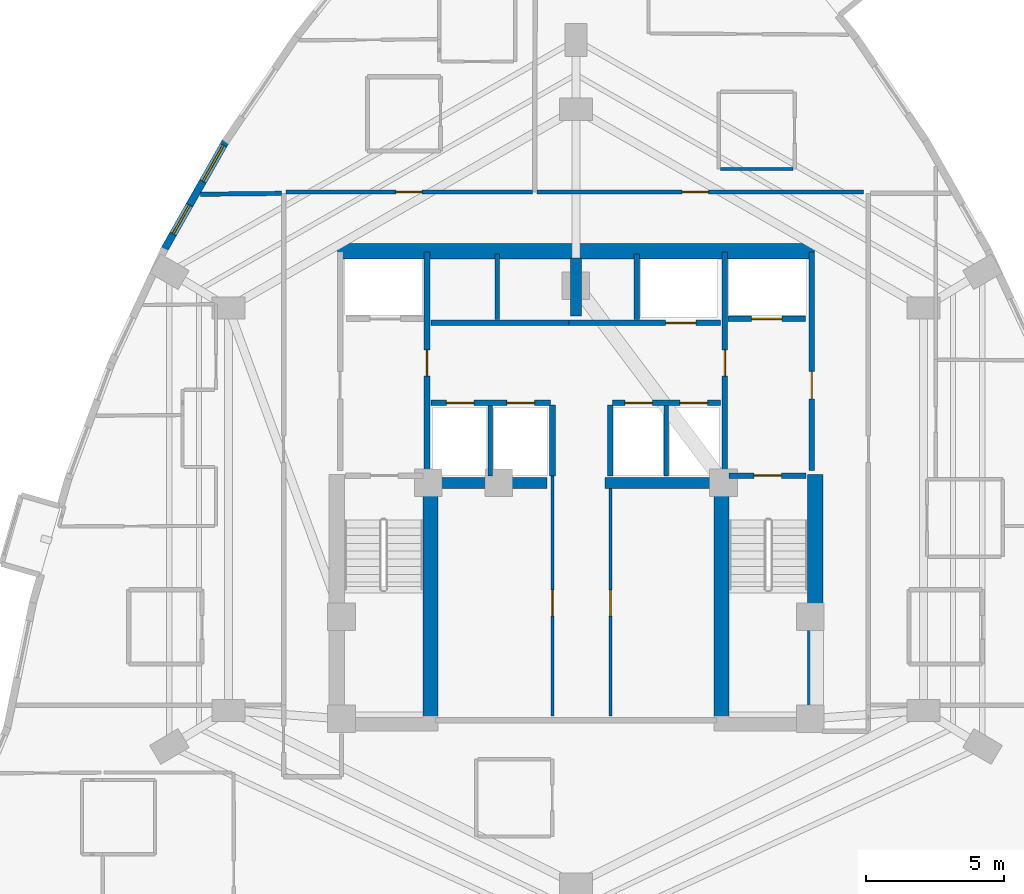
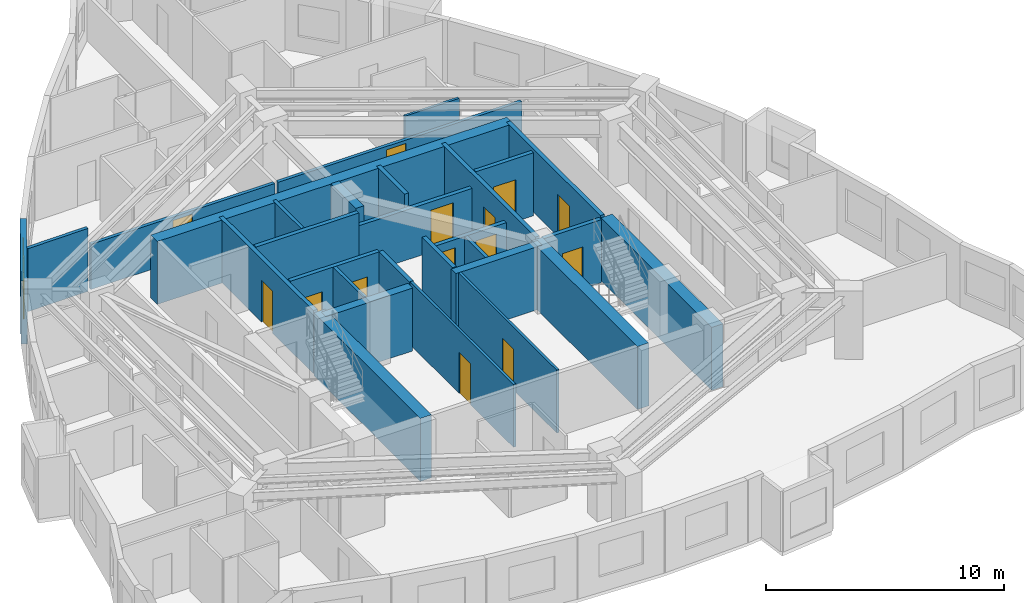
# One storey, part 10 of 14: 29 walls, 14 doors, 2 windows, 16 openings.
"""IFC4 building model written with IfcOpenShell, lengths in metres."""

from ifc_helpers import new_model, si_unit, direction, frame, frame_2d, origin, place, context, subcontext, project, spatial, rectangle, extrude, material, layer, layer_set, type_object, element, fill, save


model = new_model("IFC4")

# Units and contexts
model_context = context("Model", 3, precision=1e-05, world=origin(), true_north=direction((0.0, 1.0)))
body_context = subcontext(model_context, "Body", "Model", "MODEL_VIEW")
ifc_project = project(units=[si_unit("LENGTHUNIT", "METRE"), si_unit("AREAUNIT", "SQUARE_METRE"), si_unit("VOLUMEUNIT", "CUBIC_METRE"), si_unit("PLANEANGLEUNIT", "RADIAN"), si_unit("MASSUNIT", "GRAM", prefix="KILO")], contexts=[model_context])

# Site, building, storey
site_placement = place(None, origin())
site = spatial("IfcSite", under=ifc_project, at=site_placement, CompositionType="ELEMENT")
building_placement = place(site_placement, origin())
building = spatial("IfcBuilding", under=site, at=building_placement, Name="Miruveldt Soraemaru", CompositionType="ELEMENT")
storey_placement = place(building_placement, frame((0.0, 0.0, 117.89990234375)))
storey = spatial("IfcBuildingStorey", under=building, at=storey_placement, Name="L32", CompositionType="ELEMENT", Elevation=117.89990234375)

# Walls
ifc_material_1 = material(Name="Concrete C70/85 (70 MPa)", Category="concrete")
ifc_layer_1 = layer(ifc_material_1, 0.5, Name="Concrete C70/85 (70 MPa)", Category="concrete")
ifc_layer_set_1 = layer_set([ifc_layer_1], Name="Concrete C70/85 (70 MPa)")
wall_type_1 = type_object("IfcWallType", Name="WALL-BW-500", PredefinedType="SHEAR", material=ifc_layer_set_1)
wall_1_placement = place(storey_placement, frame((44.0, 50.10009765625, 0.0), z_axis=(0.0, 0.0, 1.0), x_axis=(0.0, 1.0, 0.0)))
element("IfcWall", 1, at=wall_1_placement, inside=storey, type_object=wall_type_1, Name="L32 Core Buttress Shear Wall BN", PredefinedType="SHEAR", context=body_context, shape_type="SweptSolid", body=[
    extrude(rectangle(XDim=2.099853515625, YDim=0.39990234375, at=frame_2d((1.0498046875, 0.0))), origin(), (0.0, 0.0, 1.0), 3.235107421875),
])
for number, where, z_axis, x_axis, name in (
    (2, (38.75, 44.050048828125, 0.0), (0.0, 0.0, 1.0), (1.0, 0.0, 0.0), "L32 Core Buttress Shear Wall BW"),
    (3, (45.050048828125, 44.050048828125, 0.0), (0.0, 0.0, 1.0), (1.0, 0.0, 0.0), "L32 Core Buttress Shear Wall BE"),
):
    element("IfcWall", number, at=place(storey_placement, frame(where, z_axis=z_axis, x_axis=x_axis)), inside=storey, type_object=wall_type_1, Name=name, PredefinedType="SHEAR", context=body_context, shape_type="SweptSolid", body=[
        extrude(rectangle(XDim=4.199951171875, YDim=0.39990234375, at=frame_2d((2.10009765625, 0.0))), origin(), (0.0, 0.0, 1.0), 3.235107421875),
    ])
ifc_layer_2 = layer(ifc_material_1, 0.550048828125, Name="Concrete C70/85 (70 MPa)", Category="concrete")
ifc_layer_set_2 = layer_set([ifc_layer_2], Name="Concrete C70/85 (70 MPa)")
wall_type_2 = type_object("IfcWallType", Name="WALL-CW-550", PredefinedType="SHEAR", material=ifc_layer_set_2)
wall_2_placement = place(storey_placement, frame((35.35009765625, 52.449951171875, 0.0), z_axis=(0.0, 0.0, 1.0), x_axis=(1.0, 0.0, 0.0)))
element("IfcWall", 4, at=wall_2_placement, inside=storey, type_object=wall_type_2, Name="L32 Central Core Shear Wall N", PredefinedType="SHEAR", context=body_context, shape_type="SweptSolid", body=[
    extrude(rectangle(XDim=17.2998046875, YDim=0.550048828125, at=frame_2d((8.64990234375, 0.0))), origin(), (0.0, 0.0, 1.0), 3.235107421875),
])
wall_3_placement = place(storey_placement, frame((52.675048828125, 35.050048828125, 0.0), z_axis=(0.0, 0.0, 1.0), x_axis=(0.0, 1.0, 0.0)))
element("IfcWall", 5, at=wall_3_placement, inside=storey, type_object=wall_type_2, Name="L32 Central Core Shear Wall E1", PredefinedType="SHEAR", context=body_context, shape_type="SweptSolid", body=[
    extrude(rectangle(XDim=9.300048828125, YDim=0.550048828125, at=frame_2d((4.64990234375, 0.0))), origin(), (0.0, 0.0, 1.0), 3.235107421875),
])
for number, where, z_axis, x_axis, name in (
    (6, (38.72509765625, 35.39990234375, 0.0), (0.0, 0.0, 1.0), (0.0, 1.0, 0.0), "L32 Central Core Shear Wall SW-INT"),
    (7, (49.27490234375, 35.39990234375, 0.0), (0.0, 0.0, 1.0), (0.0, 1.0, 0.0), "L32 Central Core Shear Wall SE-INT"),
):
    element("IfcWall", number, at=place(storey_placement, frame(where, z_axis=z_axis, x_axis=x_axis)), inside=storey, type_object=wall_type_2, Name=name, PredefinedType="SHEAR", context=body_context, shape_type="SweptSolid", body=[
        extrude(rectangle(XDim=8.9501953125, YDim=0.550048828125, at=frame_2d((4.47509765625, 0.0))), origin(), (0.0, 0.0, 1.0), 3.235107421875),
    ])

# Wall, openings, windows
ifc_material_2 = material(Name="Precast concrete C45/55 (45 MPa)", Category="concrete")
ifc_layer_3 = layer(ifc_material_2, 0.27001953125, Name="Precast concrete C45/55 (45 MPa)", Category="concrete")
ifc_layer_set_3 = layer_set([ifc_layer_3], Name="Precast concrete C45/55 (45 MPa)")
wall_type_3 = type_object("IfcWallType", Name="WALL-EXT-PC270", PredefinedType="SOLIDWALL", material=ifc_layer_set_3)
wall_4_placement = place(storey_placement, frame((31.319091796875, 56.47119140625, 0.0), z_axis=(0.0, 0.0, 1.0), x_axis=(-0.493365968838, -0.869821832786, 0.0)))
wall_4 = element("IfcWall", 8, at=wall_4_placement, inside=storey, type_object=wall_type_3, Name="L32 Precast Concrete Facade Wall 10", PredefinedType="SOLIDWALL", context=body_context, shape_type="SweptSolid", body=[
    extrude(rectangle(XDim=4.583740234375, YDim=0.27001953125, at=frame_2d((2.2919921875, 0.0))), origin(), (0.0, 0.0, 1.0), 3.235107421875),
])
opening_1_placement = place(wall_4_placement, frame((0.2109375, 0.0, 0.800048828125)))
opening_1 = element("IfcOpeningElement", 9, at=opening_1_placement, cuts=wall_4, Name="Opening WN-3", PredefinedType="OPENING", context=body_context, shape_type="SweptSolid", body=[
    extrude(rectangle(XDim=1.5, YDim=1.60009765625, at=frame_2d((0.75, 0.800048828125))), frame((0.0, 0.14501953125, 0.0), z_axis=(0.0, -1.0, 0.0), x_axis=(1.0, 0.0, 0.0)), (0.0, 0.0, 1.0), 0.2900390625),
])
opening_2_placement = place(wall_4_placement, frame((2.697021484375, 0.0, 0.780029296875)))
opening_2 = element("IfcOpeningElement", 10, at=opening_2_placement, cuts=wall_4, Name="Opening WN-4", PredefinedType="OPENING", context=body_context, shape_type="SweptSolid", body=[
    extrude(rectangle(XDim=1.199951171875, YDim=1.550048828125, at=frame_2d((0.60009765625, 0.77490234375))), frame((0.0, 0.14501953125, 0.0), z_axis=(0.0, -1.0, 0.0), x_axis=(1.0, 0.0, 0.0)), (0.0, 0.0, 1.0), 0.2900390625),
])
ifc_material_3 = material(Name="Triple low-e insulated glazing", Category="glass")
window_type_1 = type_object("IfcWindowType", Name="WIN-PUNCH-1200x1550", PartitioningType="SINGLE_PANEL", PredefinedType="WINDOW", material=ifc_material_3)
window_1_placement = place(opening_2_placement, origin())
window_1 = element("IfcWindow", 11, at=window_1_placement, inside=storey, type_object=window_type_1, Name="L32 Punched Triple-Glazed Window 10.2", OverallHeight=1.550048828125, OverallWidth=1.199951171875, PartitioningType="SINGLE_PANEL", PredefinedType="WINDOW", context=body_context, shape_type="SweptSolid", body=[
    extrude(rectangle(XDim=1.199951171875, YDim=1.550048828125, at=frame_2d((0.60009765625, 0.77490234375))), frame((0.0, 0.030029296875, 0.0), z_axis=(0.0, -1.0, 0.0), x_axis=(1.0, 0.0, 0.0)), (0.0, 0.0, 1.0), 0.06005859375),
])
fill(opening_2, window_1)
window_type_2 = type_object("IfcWindowType", Name="WIN-PUNCH-1500x1600", PartitioningType="SINGLE_PANEL", PredefinedType="WINDOW", material=ifc_material_3)
window_2_placement = place(opening_1_placement, origin())
window_2 = element("IfcWindow", 12, at=window_2_placement, inside=storey, type_object=window_type_2, Name="L32 Punched Triple-Glazed Window 10.1", OverallHeight=1.60009765625, OverallWidth=1.5, PartitioningType="SINGLE_PANEL", PredefinedType="WINDOW", context=body_context, shape_type="SweptSolid", body=[
    extrude(rectangle(XDim=1.5, YDim=1.60009765625, at=frame_2d((0.75, 0.800048828125))), frame((0.0, 0.030029296875, 0.0), z_axis=(0.0, -1.0, 0.0), x_axis=(1.0, 0.0, 0.0)), (0.0, 0.0, 1.0), 0.06005859375),
])
fill(opening_1, window_2)

# Wall, opening, door
ifc_material_4 = material(Name="Gypsum plasterboard lining", Category="gypsum")
ifc_layer_4 = layer(ifc_material_4, 0.1201171875, Name="Gypsum plasterboard lining", Category="gypsum")
ifc_layer_set_4 = layer_set([ifc_layer_4], Name="Gypsum plasterboard lining")
wall_type_4 = type_object("IfcWallType", Name="WALL-INT-P120", PredefinedType="PARTITIONING", material=ifc_layer_set_4)
wall_5_placement = place(storey_placement, frame((43.14990234375, 35.60009765625, 0.0), z_axis=(0.0, 0.0, 1.0), x_axis=(0.0, 1.0, 0.0)))
wall_5 = element("IfcWall", 13, at=wall_5_placement, inside=storey, type_object=wall_type_4, Name="L32 Core Compartment Wall SP-WL", PredefinedType="PARTITIONING", context=body_context, shape_type="SweptSolid", body=[
    extrude(rectangle(XDim=8.699951171875, YDim=0.1201171875, at=frame_2d((4.35009765625, 0.0))), origin(), (0.0, 0.0, 1.0), 3.235107421875),
])
opening_3_placement = place(wall_5_placement, frame((3.625, 0.0, 0.0)))
opening_3 = element("IfcOpeningElement", 14, at=opening_3_placement, cuts=wall_5, Name="Opening D2", PredefinedType="OPENING", context=body_context, shape_type="SweptSolid", body=[
    extrude(rectangle(XDim=0.949951171875, YDim=2.10009765625, at=frame_2d((0.47509765625, 1.050048828125))), frame((0.0, 0.070068359375, 0.0), z_axis=(0.0, -1.0, 0.0), x_axis=(1.0, 0.0, 0.0)), (0.0, 0.0, 1.0), 0.14013671875),
])
ifc_material_5 = material(Name="Anodised aluminium EN AW-6063 T6", Category="aluminium")
door_type_1 = type_object("IfcDoorType", Name="DOOR-INT-950", OperationType="NOTDEFINED", PredefinedType="DOOR", material=ifc_material_5)
door_1_placement = place(opening_3_placement, origin())
door_1 = element("IfcDoor", 15, at=door_1_placement, inside=storey, type_object=door_type_1, Name="L32 Fire Door", OperationType="SINGLE_SWING_LEFT", OverallHeight=2.10009765625, OverallWidth=0.949951171875, PredefinedType="DOOR", context=body_context, shape_type="SweptSolid", body=[
    extrude(rectangle(XDim=0.949951171875, YDim=2.10009765625, at=frame_2d((0.47509765625, 1.050048828125))), frame((0.0, 0.02490234375, 0.0), z_axis=(0.0, -1.0, 0.0), x_axis=(1.0, 0.0, 0.0)), (0.0, 0.0, 1.0), 0.050048828125),
])
fill(opening_3, door_1)

wall_6_placement = place(storey_placement, frame((45.25, 35.60009765625, 0.0), z_axis=(0.0, 0.0, 1.0), x_axis=(0.0, 1.0, 0.0)))
wall_6 = element("IfcWall", 16, at=wall_6_placement, inside=storey, type_object=wall_type_4, Name="L32 Core Compartment Wall SP-EL", PredefinedType="PARTITIONING", context=body_context, shape_type="SweptSolid", body=[
    extrude(rectangle(XDim=8.25, YDim=0.1201171875, at=frame_2d((4.125, 0.0))), origin(), (0.0, 0.0, 1.0), 3.235107421875),
])
opening_4_placement = place(wall_6_placement, frame((3.625, 0.0, 0.0)))
opening_4 = element("IfcOpeningElement", 17, at=opening_4_placement, cuts=wall_6, Name="Opening D2", PredefinedType="OPENING", context=body_context, shape_type="SweptSolid", body=[
    extrude(rectangle(XDim=0.949951171875, YDim=2.10009765625, at=frame_2d((0.47509765625, 1.050048828125))), frame((0.0, 0.070068359375, 0.0), z_axis=(0.0, -1.0, 0.0), x_axis=(1.0, 0.0, 0.0)), (0.0, 0.0, 1.0), 0.14013671875),
])
door_2_placement = place(opening_4_placement, origin())
door_2 = element("IfcDoor", 18, at=door_2_placement, inside=storey, type_object=door_type_1, Name="L32 Fire Door", OperationType="SINGLE_SWING_LEFT", OverallHeight=2.10009765625, OverallWidth=0.949951171875, PredefinedType="DOOR", context=body_context, shape_type="SweptSolid", body=[
    extrude(rectangle(XDim=0.949951171875, YDim=2.10009765625, at=frame_2d((0.47509765625, 1.050048828125))), frame((0.0, 0.02490234375, 0.0), z_axis=(0.0, -1.0, 0.0), x_axis=(1.0, 0.0, 0.0)), (0.0, 0.0, 1.0), 0.050048828125),
])
fill(opening_4, door_2)

# Wall
wall_7_placement = place(storey_placement, frame((49.239990234375, 55.429931640625, 0.0), z_axis=(0.0, 0.0, 1.0), x_axis=(1.0, 0.0, 0.0)))
element("IfcWall", 19, at=wall_7_placement, inside=storey, type_object=wall_type_4, Name="L32 Partition Wall 28", PredefinedType="PARTITIONING", context=body_context, shape_type="SweptSolid", body=[
    extrude(rectangle(XDim=2.630126953125, YDim=0.1201171875, at=frame_2d((1.31494140625, 0.0))), origin(), (0.0, 0.0, 1.0), 2.873046875),
])

# Wall, opening, door
ifc_material_6 = material(Name="Concrete C40/50 (40 MPa)", Category="concrete")
ifc_layer_5 = layer(ifc_material_6, 0.159912109375, Name="Concrete C40/50 (40 MPa)", Category="concrete")
ifc_layer_set_5 = layer_set([ifc_layer_5], Name="Concrete C40/50 (40 MPa)")
wall_type_5 = type_object("IfcWallType", Name="WALL-INT-RC160", PredefinedType="SOLIDWALL", material=ifc_layer_set_5)
wall_8_placement = place(storey_placement, frame((54.423095703125, 54.60009765625, 0.0), z_axis=(0.0, 0.0, 1.0), x_axis=(-1.0, 0.0, 0.0)))
wall_8 = element("IfcWall", 20, at=wall_8_placement, inside=storey, type_object=wall_type_5, Name="L32 Partition Wall 2", PredefinedType="SOLIDWALL", context=body_context, shape_type="SweptSolid", body=[
    extrude(rectangle(XDim=11.840087890625, YDim=0.159912109375, at=frame_2d((5.919921875, 0.0))), origin(), (0.0, 0.0, 1.0), 2.322998046875),
])
opening_5_placement = place(wall_8_placement, frame((5.625, 0.0, 0.0)))
opening_5 = element("IfcOpeningElement", 21, at=opening_5_placement, cuts=wall_8, Name="Opening FD2", PredefinedType="OPENING", context=body_context, shape_type="SweptSolid", body=[
    extrude(rectangle(XDim=0.949951171875, YDim=2.14990234375, at=frame_2d((0.47509765625, 1.074951171875))), frame((0.0, 0.08984375, 0.0), z_axis=(0.0, -1.0, 0.0), x_axis=(1.0, 0.0, 0.0)), (0.0, 0.0, 1.0), 0.179931640625),
])
door_type_2 = type_object("IfcDoorType", Name="DOOR-FD2-950", OperationType="NOTDEFINED", PredefinedType="DOOR", material=ifc_material_5)
door_3_placement = place(opening_5_placement, origin())
door_3 = element("IfcDoor", 22, at=door_3_placement, inside=storey, type_object=door_type_2, Name="L32 Unit 3202 Entrance Fire Door", OperationType="SINGLE_SWING_LEFT", OverallHeight=2.14990234375, OverallWidth=0.949951171875, PredefinedType="DOOR", context=body_context, shape_type="SweptSolid", body=[
    extrude(rectangle(XDim=0.949951171875, YDim=2.14990234375, at=frame_2d((0.47509765625, 1.074951171875))), frame((0.0, 0.02490234375, 0.0), z_axis=(0.0, -1.0, 0.0), x_axis=(1.0, 0.0, 0.0)), (0.0, 0.0, 1.0), 0.050048828125),
])
fill(opening_5, door_3)

wall_9_placement = place(storey_placement, frame((42.419921875, 54.60009765625, 0.0), z_axis=(0.0, 0.0, 1.0), x_axis=(-1.0, 0.0, 0.0)))
wall_9 = element("IfcWall", 23, at=wall_9_placement, inside=storey, type_object=wall_type_5, Name="L32 Partition Wall 1", PredefinedType="SOLIDWALL", context=body_context, shape_type="SweptSolid", body=[
    extrude(rectangle(XDim=8.93994140625, YDim=0.159912109375, at=frame_2d((4.469970703125, 0.0))), origin(), (0.0, 0.0, 1.0), 2.322998046875),
])
opening_6_placement = place(wall_9_placement, frame((3.9951171875, 0.0, 0.0)))
opening_6 = element("IfcOpeningElement", 24, at=opening_6_placement, cuts=wall_9, Name="Opening FD2", PredefinedType="OPENING", context=body_context, shape_type="SweptSolid", body=[
    extrude(rectangle(XDim=0.949951171875, YDim=2.14990234375, at=frame_2d((0.47509765625, 1.074951171875))), frame((0.0, 0.08984375, 0.0), z_axis=(0.0, -1.0, 0.0), x_axis=(1.0, 0.0, 0.0)), (0.0, 0.0, 1.0), 0.179931640625),
])
door_4_placement = place(opening_6_placement, origin())
door_4 = element("IfcDoor", 25, at=door_4_placement, inside=storey, type_object=door_type_2, Name="L32 Unit 3201 Entrance Fire Door", OperationType="SINGLE_SWING_LEFT", OverallHeight=2.14990234375, OverallWidth=0.949951171875, PredefinedType="DOOR", context=body_context, shape_type="SweptSolid", body=[
    extrude(rectangle(XDim=0.949951171875, YDim=2.14990234375, at=frame_2d((0.47509765625, 1.074951171875))), frame((0.0, 0.02490234375, 0.0), z_axis=(0.0, -1.0, 0.0), x_axis=(1.0, 0.0, 0.0)), (0.0, 0.0, 1.0), 0.050048828125),
])
fill(opening_6, door_4)

# Walls
wall_10_placement = place(storey_placement, frame((30.383056640625, 54.51708984375, 0.0), z_axis=(0.0, 0.0, 1.0), x_axis=(0.999940586961, 0.010900575592, 0.0)))
element("IfcWall", 26, at=wall_10_placement, inside=storey, type_object=wall_type_5, Name="L32 Partition Wall 22", PredefinedType="SOLIDWALL", context=body_context, shape_type="SweptSolid", body=[
    extrude(rectangle(XDim=2.93408203125, YDim=0.159912109375, at=frame_2d((1.467041015625, 0.0))), origin(), (0.0, 0.0, 1.0), 3.235107421875),
])
wall_11_placement = place(storey_placement, frame((40.89990234375, 44.300048828125, 0.0), z_axis=(0.0, 0.0, 1.0), x_axis=(0.0, 1.0, 0.0)))
element("IfcWall", 27, at=wall_11_placement, inside=storey, type_object=wall_type_5, Name="L32 Core Compartment Wall PLM-DW", PredefinedType="SOLIDWALL", context=body_context, shape_type="SweptSolid", body=[
    extrude(rectangle(XDim=2.550048828125, YDim=0.159912109375, at=frame_2d((1.27490234375, 0.0))), origin(), (0.0, 0.0, 1.0), 3.235107421875),
])
wall_12_placement = place(storey_placement, frame((47.280029296875, 44.300048828125, 0.0), z_axis=(0.0, 0.0, 1.0), x_axis=(0.0, 1.0, 0.0)))
element("IfcWall", 28, at=wall_12_placement, inside=storey, type_object=wall_type_5, Name="L32 Core Compartment Wall PLM-DE", PredefinedType="SOLIDWALL", context=body_context, shape_type="SweptSolid", body=[
    extrude(rectangle(XDim=2.550048828125, YDim=0.159912109375, at=frame_2d((1.27490234375, 0.0))), origin(), (0.0, 0.0, 1.0), 2.572998046875),
])
wall_13_placement = place(storey_placement, frame((41.14990234375, 49.97998046875, 0.0), z_axis=(0.0, 0.0, 1.0), x_axis=(0.0, 1.0, 0.0)))
element("IfcWall", 29, at=wall_13_placement, inside=storey, type_object=wall_type_5, Name="L32 Core Compartment Wall PLH-DIV1", PredefinedType="SOLIDWALL", context=body_context, shape_type="SweptSolid", body=[
    extrude(rectangle(XDim=2.3701171875, YDim=0.159912109375, at=frame_2d((1.18505859375, 0.0))), origin(), (0.0, 0.0, 1.0), 3.235107421875),
])

# Wall, opening, door
ifc_layer_6 = layer(ifc_material_6, 0.199951171875, Name="Concrete C40/50 (40 MPa)", Category="concrete")
ifc_layer_set_6 = layer_set([ifc_layer_6], Name="Concrete C40/50 (40 MPa)")
wall_type_6 = type_object("IfcWallType", Name="WALL-INT-RC200", PredefinedType="SOLIDWALL", material=ifc_layer_set_6)
wall_14_placement = place(storey_placement, frame((52.550048828125, 44.5, 0.0), z_axis=(0.0, 0.0, 1.0), x_axis=(0.0, 1.0, 0.0)))
wall_14 = element("IfcWall", 30, at=wall_14_placement, inside=storey, type_object=wall_type_6, Name="L32 Core Compartment Wall FFE-OUT", PredefinedType="SOLIDWALL", context=body_context, shape_type="SweptSolid", body=[
    extrude(rectangle(XDim=7.919921875, YDim=0.199951171875, at=frame_2d((3.9599609375, 0.0))), origin(), (0.0, 0.0, 1.0), 3.235107421875),
])
opening_7_placement = place(wall_14_placement, frame((2.60009765625, 0.0, 0.0)))
opening_7 = element("IfcOpeningElement", 31, at=opening_7_placement, cuts=wall_14, Name="Opening FD1", PredefinedType="OPENING", context=body_context, shape_type="SweptSolid", body=[
    extrude(rectangle(XDim=1.0, YDim=2.14990234375, at=frame_2d((0.5, 1.074951171875))), frame((0.0, 0.10986328125, 0.0), z_axis=(0.0, -1.0, 0.0), x_axis=(1.0, 0.0, 0.0)), (0.0, 0.0, 1.0), 0.219970703125),
])
door_type_3 = type_object("IfcDoorType", Name="DOOR-FD1-1000", OperationType="NOTDEFINED", PredefinedType="DOOR", material=ifc_material_5)
door_5_placement = place(opening_7_placement, frame((1.0, 0.0, 0.0), z_axis=(0.0, 0.0, 1.0), x_axis=(-1.0, 0.0, 0.0)))
door_5 = element("IfcDoor", 32, at=door_5_placement, inside=storey, type_object=door_type_3, Name="L32 East Firefighting Lobby Exit Door", OperationType="SINGLE_SWING_RIGHT", OverallHeight=2.14990234375, OverallWidth=1.0, PredefinedType="DOOR", context=body_context, shape_type="SweptSolid", body=[
    extrude(rectangle(XDim=1.0, YDim=2.14990234375, at=frame_2d((0.5, 1.074951171875))), frame((0.0, 0.02490234375, 0.0), z_axis=(0.0, -1.0, 0.0), x_axis=(1.0, 0.0, 0.0)), (0.0, 0.0, 1.0), 0.050048828125),
])
fill(opening_7, door_5)

wall_15_placement = place(storey_placement, frame((38.60009765625, 44.5, 0.0), z_axis=(0.0, 0.0, 1.0), x_axis=(0.0, 1.0, 0.0)))
wall_15 = element("IfcWall", 33, at=wall_15_placement, inside=storey, type_object=wall_type_6, Name="L32 Core Compartment Wall FFW-IN", PredefinedType="SOLIDWALL", context=body_context, shape_type="SweptSolid", body=[
    extrude(rectangle(XDim=7.919921875, YDim=0.199951171875, at=frame_2d((3.9599609375, 0.0))), origin(), (0.0, 0.0, 1.0), 3.235107421875),
])
opening_8_placement = place(wall_15_placement, frame((3.425048828125, 0.0, 0.0)))
opening_8 = element("IfcOpeningElement", 34, at=opening_8_placement, cuts=wall_15, Name="Opening FD2", PredefinedType="OPENING", context=body_context, shape_type="SweptSolid", body=[
    extrude(rectangle(XDim=0.949951171875, YDim=2.14990234375, at=frame_2d((0.47509765625, 1.074951171875))), frame((0.0, 0.10986328125, 0.0), z_axis=(0.0, -1.0, 0.0), x_axis=(1.0, 0.0, 0.0)), (0.0, 0.0, 1.0), 0.219970703125),
])
door_6_placement = place(opening_8_placement, frame((0.949951171875, 0.0, 0.0), z_axis=(0.0, 0.0, 1.0), x_axis=(-1.0, 0.0, 0.0)))
door_6 = element("IfcDoor", 35, at=door_6_placement, inside=storey, type_object=door_type_2, Name="L32 Lift Lobby to West Fire Lobby Door", OperationType="SINGLE_SWING_RIGHT", OverallHeight=2.14990234375, OverallWidth=0.949951171875, PredefinedType="DOOR", context=body_context, shape_type="SweptSolid", body=[
    extrude(rectangle(XDim=0.949951171875, YDim=2.14990234375, at=frame_2d((0.47509765625, 1.074951171875))), frame((0.0, 0.02490234375, 0.0), z_axis=(0.0, -1.0, 0.0), x_axis=(1.0, 0.0, 0.0)), (0.0, 0.0, 1.0), 0.050048828125),
])
fill(opening_8, door_6)

wall_16_placement = place(storey_placement, frame((49.39990234375, 44.5, 0.0), z_axis=(0.0, 0.0, 1.0), x_axis=(0.0, 1.0, 0.0)))
wall_16 = element("IfcWall", 36, at=wall_16_placement, inside=storey, type_object=wall_type_6, Name="L32 Core Compartment Wall FFE-IN", PredefinedType="SOLIDWALL", context=body_context, shape_type="SweptSolid", body=[
    extrude(rectangle(XDim=7.919921875, YDim=0.199951171875, at=frame_2d((3.9599609375, 0.0))), origin(), (0.0, 0.0, 1.0), 3.235107421875),
])
opening_9_placement = place(wall_16_placement, frame((3.425048828125, 0.0, 0.0)))
opening_9 = element("IfcOpeningElement", 37, at=opening_9_placement, cuts=wall_16, Name="Opening FD2", PredefinedType="OPENING", context=body_context, shape_type="SweptSolid", body=[
    extrude(rectangle(XDim=0.949951171875, YDim=2.14990234375, at=frame_2d((0.47509765625, 1.074951171875))), frame((0.0, 0.10986328125, 0.0), z_axis=(0.0, -1.0, 0.0), x_axis=(1.0, 0.0, 0.0)), (0.0, 0.0, 1.0), 0.219970703125),
])
door_7_placement = place(opening_9_placement, origin())
door_7 = element("IfcDoor", 38, at=door_7_placement, inside=storey, type_object=door_type_2, Name="L32 Lift Lobby to East Fire Lobby Door", OperationType="SINGLE_SWING_LEFT", OverallHeight=2.14990234375, OverallWidth=0.949951171875, PredefinedType="DOOR", context=body_context, shape_type="SweptSolid", body=[
    extrude(rectangle(XDim=0.949951171875, YDim=2.14990234375, at=frame_2d((0.47509765625, 1.074951171875))), frame((0.0, 0.02490234375, 0.0), z_axis=(0.0, -1.0, 0.0), x_axis=(1.0, 0.0, 0.0)), (0.0, 0.0, 1.0), 0.050048828125),
])
fill(opening_9, door_7)

wall_17_placement = place(storey_placement, frame((43.75, 49.85009765625, 0.0), z_axis=(0.0, 0.0, 1.0), x_axis=(1.0, 0.0, 0.0)))
wall_17 = element("IfcWall", 39, at=wall_17_placement, inside=storey, type_object=wall_type_6, Name="L32 Core Compartment Wall ROWA-SE", PredefinedType="SOLIDWALL", context=body_context, shape_type="SweptSolid", body=[
    extrude(rectangle(XDim=5.5, YDim=0.199951171875, at=frame_2d((2.75, 0.0))), origin(), (0.0, 0.0, 1.0), 2.572998046875),
])
opening_10_placement = place(wall_17_placement, frame((3.5, 0.0, 0.0)))
opening_10 = element("IfcOpeningElement", 40, at=opening_10_placement, cuts=wall_17, Name="Opening LD2", PredefinedType="OPENING", context=body_context, shape_type="SweptSolid", body=[
    extrude(rectangle(XDim=1.10009765625, YDim=2.14990234375, at=frame_2d((0.550048828125, 1.074951171875))), frame((0.0, 0.10986328125, 0.0), z_axis=(0.0, -1.0, 0.0), x_axis=(1.0, 0.0, 0.0)), (0.0, 0.0, 1.0), 0.219970703125),
])
door_type_4 = type_object("IfcDoorType", Name="DOOR-LD2-1100", OperationType="SLIDING_TO_LEFT", PredefinedType="DOOR", material=ifc_material_5)
door_8_placement = place(opening_10_placement, origin())
door_8 = element("IfcDoor", 41, at=door_8_placement, inside=storey, type_object=door_type_4, Name="L32 SL-1 Landing Door", OperationType="SLIDING_TO_LEFT", OverallHeight=2.14990234375, OverallWidth=1.10009765625, PredefinedType="DOOR", context=body_context, shape_type="SweptSolid", body=[
    extrude(rectangle(XDim=1.10009765625, YDim=2.14990234375, at=frame_2d((0.550048828125, 1.074951171875))), frame((0.0, 0.02490234375, 0.0), z_axis=(0.0, -1.0, 0.0), x_axis=(1.0, 0.0, 0.0)), (0.0, 0.0, 1.0), 0.050048828125),
])
fill(opening_10, door_8)

# Wall, openings, doors
wall_18_placement = place(storey_placement, frame((38.75, 46.949951171875, 0.0), z_axis=(0.0, 0.0, 1.0), x_axis=(1.0, 0.0, 0.0)))
wall_18 = element("IfcWall", 42, at=wall_18_placement, inside=storey, type_object=wall_type_6, Name="L32 Core Compartment Wall MBW-N", PredefinedType="SOLIDWALL", context=body_context, shape_type="SweptSolid", body=[
    extrude(rectangle(XDim=4.330078125, YDim=0.199951171875, at=frame_2d((2.1650390625, 0.0))), origin(), (0.0, 0.0, 1.0), 3.235107421875),
])
opening_11_placement = place(wall_18_placement, frame((0.550048828125, 0.0, 0.0)))
opening_11 = element("IfcOpeningElement", 43, at=opening_11_placement, cuts=wall_18, Name="Opening LD1B", PredefinedType="OPENING", context=body_context, shape_type="SweptSolid", body=[
    extrude(rectangle(XDim=1.0, YDim=2.14990234375, at=frame_2d((0.5, 1.074951171875))), frame((0.0, 0.10986328125, 0.0), z_axis=(0.0, -1.0, 0.0), x_axis=(1.0, 0.0, 0.0)), (0.0, 0.0, 1.0), 0.219970703125),
])
opening_12_placement = place(wall_18_placement, frame((2.75, 0.0, 0.0)))
opening_12 = element("IfcOpeningElement", 44, at=opening_12_placement, cuts=wall_18, Name="Opening LD1B", PredefinedType="OPENING", context=body_context, shape_type="SweptSolid", body=[
    extrude(rectangle(XDim=1.0, YDim=2.14990234375, at=frame_2d((0.5, 1.074951171875))), frame((0.0, 0.10986328125, 0.0), z_axis=(0.0, -1.0, 0.0), x_axis=(1.0, 0.0, 0.0)), (0.0, 0.0, 1.0), 0.219970703125),
])
door_type_5 = type_object("IfcDoorType", Name="DOOR-LD1-1000", OperationType="SLIDING_TO_LEFT", PredefinedType="DOOR", material=ifc_material_5)
door_9_placement = place(opening_11_placement, origin())
door_9 = element("IfcDoor", 45, at=door_9_placement, inside=storey, type_object=door_type_5, Name="L32 PL-M1 Landing Door", OperationType="SLIDING_TO_LEFT", OverallHeight=2.14990234375, OverallWidth=1.0, PredefinedType="DOOR", context=body_context, shape_type="SweptSolid", body=[
    extrude(rectangle(XDim=1.0, YDim=2.14990234375, at=frame_2d((0.5, 1.074951171875))), frame((0.0, 0.02490234375, 0.0), z_axis=(0.0, -1.0, 0.0), x_axis=(1.0, 0.0, 0.0)), (0.0, 0.0, 1.0), 0.050048828125),
])
fill(opening_11, door_9)
door_10_placement = place(opening_12_placement, origin())
door_10 = element("IfcDoor", 46, at=door_10_placement, inside=storey, type_object=door_type_5, Name="L32 PL-M2 Landing Door", OperationType="SLIDING_TO_LEFT", OverallHeight=2.14990234375, OverallWidth=1.0, PredefinedType="DOOR", context=body_context, shape_type="SweptSolid", body=[
    extrude(rectangle(XDim=1.0, YDim=2.14990234375, at=frame_2d((0.5, 1.074951171875))), frame((0.0, 0.02490234375, 0.0), z_axis=(0.0, -1.0, 0.0), x_axis=(1.0, 0.0, 0.0)), (0.0, 0.0, 1.0), 0.050048828125),
])
fill(opening_12, door_10)

wall_19_placement = place(storey_placement, frame((45.320068359375, 46.949951171875, 0.0), z_axis=(0.0, 0.0, 1.0), x_axis=(1.0, 0.0, 0.0)))
wall_19 = element("IfcWall", 47, at=wall_19_placement, inside=storey, type_object=wall_type_6, Name="L32 Core Compartment Wall MBE-N", PredefinedType="SOLIDWALL", context=body_context, shape_type="SweptSolid", body=[
    extrude(rectangle(XDim=3.929931640625, YDim=0.199951171875, at=frame_2d((1.96484375, 0.0))), origin(), (0.0, 0.0, 1.0), 2.572998046875),
])
opening_13_placement = place(wall_19_placement, frame((0.449951171875, 0.0, 0.0)))
opening_13 = element("IfcOpeningElement", 48, at=opening_13_placement, cuts=wall_19, Name="Opening LD1B", PredefinedType="OPENING", context=body_context, shape_type="SweptSolid", body=[
    extrude(rectangle(XDim=1.0, YDim=2.14990234375, at=frame_2d((0.5, 1.074951171875))), frame((0.0, 0.10986328125, 0.0), z_axis=(0.0, -1.0, 0.0), x_axis=(1.0, 0.0, 0.0)), (0.0, 0.0, 1.0), 0.219970703125),
])
opening_14_placement = place(wall_19_placement, frame((2.449951171875, 0.0, 0.0)))
opening_14 = element("IfcOpeningElement", 49, at=opening_14_placement, cuts=wall_19, Name="Opening LD1B", PredefinedType="OPENING", context=body_context, shape_type="SweptSolid", body=[
    extrude(rectangle(XDim=1.0, YDim=2.14990234375, at=frame_2d((0.5, 1.074951171875))), frame((0.0, 0.10986328125, 0.0), z_axis=(0.0, -1.0, 0.0), x_axis=(1.0, 0.0, 0.0)), (0.0, 0.0, 1.0), 0.219970703125),
])
door_11_placement = place(opening_13_placement, origin())
door_11 = element("IfcDoor", 50, at=door_11_placement, inside=storey, type_object=door_type_5, Name="L32 PL-M3 Landing Door", OperationType="SLIDING_TO_LEFT", OverallHeight=2.14990234375, OverallWidth=1.0, PredefinedType="DOOR", context=body_context, shape_type="SweptSolid", body=[
    extrude(rectangle(XDim=1.0, YDim=2.14990234375, at=frame_2d((0.5, 1.074951171875))), frame((0.0, 0.02490234375, 0.0), z_axis=(0.0, -1.0, 0.0), x_axis=(1.0, 0.0, 0.0)), (0.0, 0.0, 1.0), 0.050048828125),
])
fill(opening_13, door_11)
door_12_placement = place(opening_14_placement, origin())
door_12 = element("IfcDoor", 51, at=door_12_placement, inside=storey, type_object=door_type_5, Name="L32 PL-M4 Landing Door", OperationType="SLIDING_TO_LEFT", OverallHeight=2.14990234375, OverallWidth=1.0, PredefinedType="DOOR", context=body_context, shape_type="SweptSolid", body=[
    extrude(rectangle(XDim=1.0, YDim=2.14990234375, at=frame_2d((0.5, 1.074951171875))), frame((0.0, 0.02490234375, 0.0), z_axis=(0.0, -1.0, 0.0), x_axis=(1.0, 0.0, 0.0)), (0.0, 0.0, 1.0), 0.050048828125),
])
fill(opening_14, door_12)

# Wall, opening, door
wall_20_placement = place(storey_placement, frame((49.550048828125, 44.320068359375, 0.0), z_axis=(0.0, 0.0, 1.0), x_axis=(1.0, 0.0, 0.0)))
wall_20 = element("IfcWall", 52, at=wall_20_placement, inside=storey, type_object=wall_type_6, Name="L32 Core Compartment Wall ST2-N", PredefinedType="SOLIDWALL", context=body_context, shape_type="SweptSolid", body=[
    extrude(rectangle(XDim=2.800048828125, YDim=0.199951171875, at=frame_2d((1.39990234375, 0.0))), origin(), (0.0, 0.0, 1.0), 3.235107421875),
])
opening_15_placement = place(wall_20_placement, frame((0.89990234375, 0.0, 0.0)))
opening_15 = element("IfcOpeningElement", 53, at=opening_15_placement, cuts=wall_20, Name="Opening FD1", PredefinedType="OPENING", context=body_context, shape_type="SweptSolid", body=[
    extrude(rectangle(XDim=1.0, YDim=2.14990234375, at=frame_2d((0.5, 1.074951171875))), frame((0.0, 0.10986328125, 0.0), z_axis=(0.0, -1.0, 0.0), x_axis=(1.0, 0.0, 0.0)), (0.0, 0.0, 1.0), 0.219970703125),
])
door_13_placement = place(opening_15_placement, frame((1.0, 0.0, 0.0), z_axis=(0.0, 0.0, 1.0), x_axis=(-1.0, 0.0, 0.0)))
door_13 = element("IfcDoor", 54, at=door_13_placement, inside=storey, type_object=door_type_3, Name="L32 Stair ST-2 Fire Door", OperationType="SINGLE_SWING_RIGHT", OverallHeight=2.14990234375, OverallWidth=1.0, PredefinedType="DOOR", context=body_context, shape_type="SweptSolid", body=[
    extrude(rectangle(XDim=1.0, YDim=2.14990234375, at=frame_2d((0.5, 1.074951171875))), frame((0.0, 0.02490234375, 0.0), z_axis=(0.0, -1.0, 0.0), x_axis=(1.0, 0.0, 0.0)), (0.0, 0.0, 1.0), 0.050048828125),
])
fill(opening_15, door_13)

wall_21_placement = place(storey_placement, frame((49.52001953125, 50.0, 0.0), z_axis=(0.0, 0.0, 1.0), x_axis=(1.0, 0.0, 0.0)))
wall_21 = element("IfcWall", 55, at=wall_21_placement, inside=storey, type_object=wall_type_6, Name="L32 Core Compartment Wall FFL2-S", PredefinedType="SOLIDWALL", context=body_context, shape_type="SweptSolid", body=[
    extrude(rectangle(XDim=2.800048828125, YDim=0.199951171875, at=frame_2d((1.39990234375, 0.0))), origin(), (0.0, 0.0, 1.0), 3.235107421875),
])
opening_16_placement = place(wall_21_placement, frame((0.85009765625, 0.0, 0.0)))
opening_16 = element("IfcOpeningElement", 56, at=opening_16_placement, cuts=wall_21, Name="Opening LD2", PredefinedType="OPENING", context=body_context, shape_type="SweptSolid", body=[
    extrude(rectangle(XDim=1.10009765625, YDim=2.14990234375, at=frame_2d((0.550048828125, 1.074951171875))), frame((0.0, 0.10986328125, 0.0), z_axis=(0.0, -1.0, 0.0), x_axis=(1.0, 0.0, 0.0)), (0.0, 0.0, 1.0), 0.219970703125),
])
door_14_placement = place(opening_16_placement, origin())
door_14 = element("IfcDoor", 57, at=door_14_placement, inside=storey, type_object=door_type_4, Name="L32 FFL-2 Landing Door", OperationType="SLIDING_TO_LEFT", OverallHeight=2.14990234375, OverallWidth=1.10009765625, PredefinedType="DOOR", context=body_context, shape_type="SweptSolid", body=[
    extrude(rectangle(XDim=1.10009765625, YDim=2.14990234375, at=frame_2d((0.550048828125, 1.074951171875))), frame((0.0, 0.02490234375, 0.0), z_axis=(0.0, -1.0, 0.0), x_axis=(1.0, 0.0, 0.0)), (0.0, 0.0, 1.0), 0.050048828125),
])
fill(opening_16, door_14)

# Walls
wall_22_placement = place(storey_placement, frame((38.75, 49.85009765625, 0.0), z_axis=(0.0, 0.0, 1.0), x_axis=(1.0, 0.0, 0.0)))
element("IfcWall", 58, at=wall_22_placement, inside=storey, type_object=wall_type_6, Name="L32 Core Compartment Wall ROWA-SW", PredefinedType="SOLIDWALL", context=body_context, shape_type="SweptSolid", body=[
    extrude(rectangle(XDim=5.0, YDim=0.199951171875, at=frame_2d((2.5, 0.0))), origin(), (0.0, 0.0, 1.0), 3.235107421875),
])
for number, where, z_axis, x_axis, name in (
    (59, (43.14990234375, 44.300048828125, 0.0), (0.0, 0.0, 1.0), (0.0, 1.0, 0.0), "L32 Core Compartment Wall SP-WB"),
    (60, (45.25, 44.300048828125, 0.0), (0.0, 0.0, 1.0), (0.0, 1.0, 0.0), "L32 Core Compartment Wall SP-EB"),
):
    element("IfcWall", number, at=place(storey_placement, frame(where, z_axis=z_axis, x_axis=x_axis)), inside=storey, type_object=wall_type_6, Name=name, PredefinedType="SOLIDWALL", context=body_context, shape_type="SweptSolid", body=[
        extrude(rectangle(XDim=2.579833984375, YDim=0.199951171875, at=frame_2d((1.2900390625, 0.0))), origin(), (0.0, 0.0, 1.0), 3.235107421875),
    ])
wall_23_placement = place(storey_placement, frame((46.199951171875, 49.97998046875, 0.0), z_axis=(0.0, 0.0, 1.0), x_axis=(0.0, 1.0, 0.0)))
element("IfcWall", 61, at=wall_23_placement, inside=storey, type_object=wall_type_6, Name="L32 Core Compartment Wall PLH-SL-DIV", PredefinedType="SOLIDWALL", context=body_context, shape_type="SweptSolid", body=[
    extrude(rectangle(XDim=2.3701171875, YDim=0.199951171875, at=frame_2d((1.18505859375, 0.0))), origin(), (0.0, 0.0, 1.0), 3.235107421875),
])

save(model, "model.ifc")
